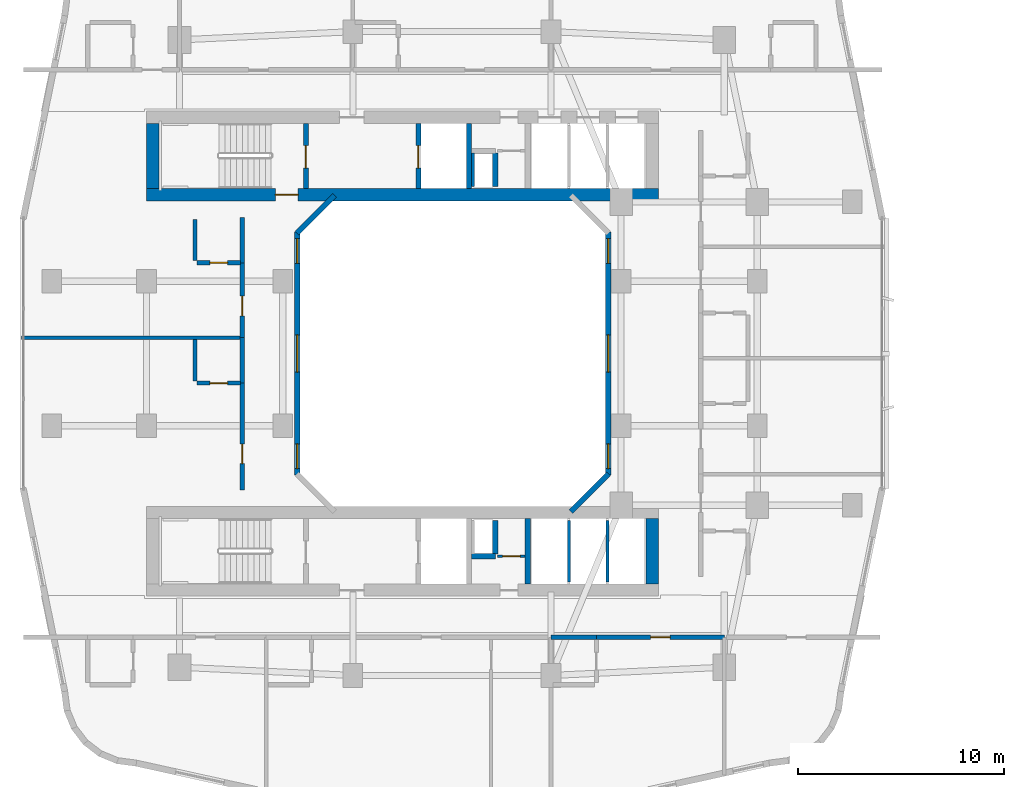
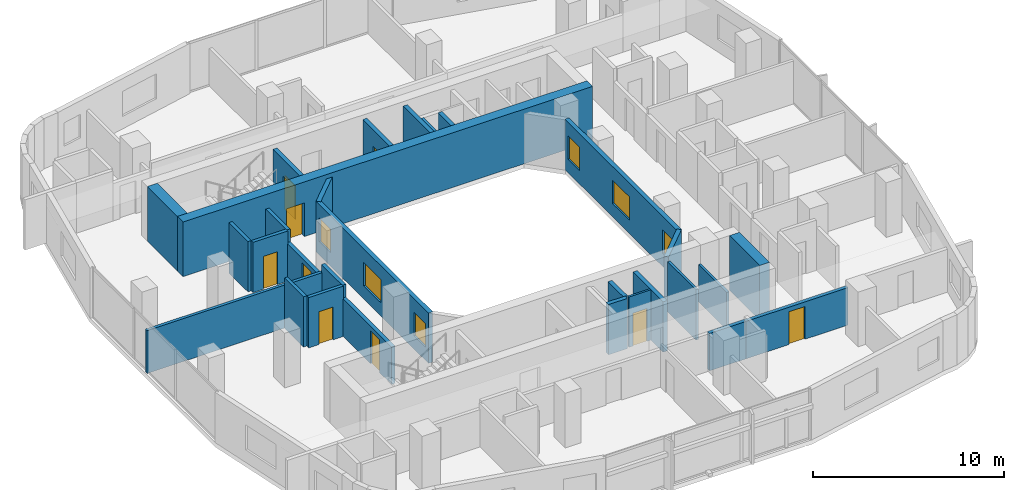
# One storey, part 14 of 27: 29 walls, 9 doors, 6 windows, 15 openings.
"""IFC4 building model written with IfcOpenShell, lengths in metres."""

import ifcopenshell
import ifcopenshell.guid

model = None  # the IFC model being written
_history = None  # IfcOwnerHistory: only IFC2X3 demands one
_inside = {}  # id of a spatial element -> (the spatial element, [elements in it])
_under = {}  # id of a project, library or spatial element -> (it, [spatial elements below it])
_declared = {}  # id of a project -> (the project, [libraries it declares])
_typed = {}  # id of a type object -> (the type object, [elements of that type])
_made_of = {}  # id of a material, layer set ... -> (it, [elements and type objects made of it])


def new_model(schema):
    """Start an empty IFC model of exactly this schema.

    Asked for "IFC4X3", IfcOpenShell would pick the latest addendum, in which some entities
    have other attributes; the version numbers below select the first issue.
    IFC2X3 requires an IfcOwnerHistory on every rooted entity: one is made here for all.
    """
    global model, _history
    if schema == "IFC4X3":
        model = ifcopenshell.file(schema_version=(4, 3, 0, 0))
    else:
        model = ifcopenshell.file(schema=schema)
    _inside.clear()
    _under.clear()
    _declared.clear()
    _typed.clear()
    _made_of.clear()
    _history = None
    if model.schema == "IFC2X3":
        org = make("IfcOrganization", Name="unknown")
        user = make(
            "IfcPersonAndOrganization",
            ThePerson=make("IfcPerson", FamilyName="unknown"),
            TheOrganization=org,
        )
        app = make(
            "IfcApplication",
            ApplicationDeveloper=org,
            Version="unknown",
            ApplicationFullName="unknown",
            ApplicationIdentifier="unknown",
        )
        _history = make(
            "IfcOwnerHistory",
            OwningUser=user,
            OwningApplication=app,
            ChangeAction="ADDED",
            CreationDate=0,
        )
    return model


def make(cls, **values):
    """One entity of the class cls with the attributes given. An attribute that is None is left unset."""
    return model.create_entity(
        cls, **{name: value for name, value in values.items() if value is not None}
    )


def rooted(cls, **values):
    """An entity with a GlobalId (a new one), such as an element, a storey or a relation."""
    return make(cls, GlobalId=ifcopenshell.guid.new(), OwnerHistory=_history, **values)


def si_unit(unit_type, name, prefix=None):
    """IfcSIUnit, for example si_unit("LENGTHUNIT", "METRE", prefix="MILLI")."""
    return make("IfcSIUnit", UnitType=unit_type, Prefix=prefix, Name=name)


def derived_unit(unit_type, elements):
    """IfcDerivedUnit: a product of units, each with its exponent."""
    return make(
        "IfcDerivedUnit",
        Elements=[
            make("IfcDerivedUnitElement", Unit=unit, Exponent=power)
            for unit, power in elements
        ],
        UnitType=unit_type,
    )


def assignment(units):
    """IfcUnitAssignment: the units of a project."""
    return None if units is None else make("IfcUnitAssignment", Units=units)


def point(xyz):
    """IfcCartesianPoint."""
    return None if xyz is None else make("IfcCartesianPoint", Coordinates=xyz)


def direction(xyz):
    """IfcDirection."""
    return None if xyz is None else make("IfcDirection", DirectionRatios=xyz)


def frame(location, z_axis=None, x_axis=None):
    """IfcAxis2Placement3D, a coordinate frame: its origin and axes. An axis left out is left unset."""
    return make(
        "IfcAxis2Placement3D",
        Location=point(location),
        Axis=direction(z_axis),
        RefDirection=direction(x_axis),
    )


def frame_2d(location, x_axis=None):
    """IfcAxis2Placement2D, a coordinate frame in the plane: its origin and x axis."""
    return make(
        "IfcAxis2Placement2D", Location=point(location), RefDirection=direction(x_axis)
    )


def origin():
    """The frame at (0, 0, 0) with its axes left unset."""
    return frame((0.0, 0.0, 0.0))


def place(relative_to, where):
    """IfcLocalPlacement: puts the frame where relative to a parent placement (None: the world)."""
    return make(
        "IfcLocalPlacement", PlacementRelTo=relative_to, RelativePlacement=where
    )


def context(
    kind, dimensions, precision=None, world=None, true_north=None, identifier=None
):
    """IfcGeometricRepresentationContext, for example the 3D "Model" context."""
    return make(
        "IfcGeometricRepresentationContext",
        ContextIdentifier=identifier,
        ContextType=kind,
        CoordinateSpaceDimension=dimensions,
        Precision=precision,
        WorldCoordinateSystem=world,
        TrueNorth=true_north,
    )


def subcontext(parent, identifier, kind, view, scale=None):
    """IfcGeometricRepresentationSubContext, for example "Body" below "Model"."""
    return make(
        "IfcGeometricRepresentationSubContext",
        ContextIdentifier=identifier,
        ContextType=kind,
        ParentContext=parent,
        TargetScale=scale,
        TargetView=view,
    )


def project(units=None, contexts=None):
    """IfcProject with its units and contexts."""
    return rooted(
        "IfcProject",
        Name="project",
        RepresentationContexts=contexts,
        UnitsInContext=assignment(units),
    )


def spatial(cls, under=None, at=None, **own):
    """A site, building, storey or space (cls), placed at a placement, below another one or the project."""
    s = rooted(cls, ObjectPlacement=at, **own)
    if under is not None:
        _under.setdefault(under.id(), (under, []))[1].append(s)
    return s


def profile(cls, at=None, kind="AREA", **sizes):
    """A parametric profile (cls). Its sizes go by their IFC names, for example OverallWidth=200.0."""
    return make(cls, ProfileType=kind, Position=at, **sizes)


def rectangle(**sizes):
    """IfcRectangleProfileDef."""
    return profile("IfcRectangleProfileDef", **sizes)


def extrude(swept, where, along, depth):
    """IfcExtrudedAreaSolid: the profile swept, set in the frame where, extruded along a direction by depth."""
    return make(
        "IfcExtrudedAreaSolid",
        SweptArea=swept,
        Position=where,
        ExtrudedDirection=direction(along),
        Depth=depth,
    )


def shape(context_of_items, identifier, shape_type, items):
    """IfcShapeRepresentation: the items that make up one representation, for example the "Body"."""
    return make(
        "IfcShapeRepresentation",
        ContextOfItems=context_of_items,
        RepresentationIdentifier=identifier,
        RepresentationType=shape_type,
        Items=items,
    )


def material(Name=None, Category=None):
    """IfcMaterial."""
    return make("IfcMaterial", Name=Name, Category=Category)


def layer(
    of_material, thickness, ventilated=None, Name=None, Category=None, Priority=None
):
    """IfcMaterialLayer: one layer of a wall or slab, of a material (None: an air gap)."""
    return make(
        "IfcMaterialLayer",
        Material=of_material,
        LayerThickness=thickness,
        IsVentilated=ventilated,
        Name=Name,
        Category=Category,
        Priority=Priority,
    )


def layer_set(layers, Name=None):
    """IfcMaterialLayerSet."""
    return make("IfcMaterialLayerSet", MaterialLayers=layers, LayerSetName=Name)


def made_of(thing, what):
    """Note that an element or type object is made of a material, layer set ...; save() writes the relation."""
    if what is not None:
        _made_of.setdefault(what.id(), (what, []))[1].append(thing)
    return thing


def type_object(cls, material=None, **own):
    """A type object (cls), such as IfcWallType, which elements share."""
    return made_of(rooted(cls, **own), material)


def element(
    cls,
    number,
    at=None,
    inside=None,
    cuts=None,
    type_object=None,
    material=None,
    context=None,
    identifier="Body",
    shape_type=None,
    held_by="IfcProductDefinitionShape",
    body=None,
    shapes=None,
    **own,
):
    """One element of the class cls, such as IfcWall. Its Tag is "e" and its number.

    at: its placement. inside: the storey or other place that contains it. cuts: it is an
    opening in that element (IfcRelVoidsElement). A single representation is given by context,
    identifier, shape_type and body (its items); several are given by shapes. held_by: the class
    of the entity that holds the representations. save() writes the other relations.
    """
    e = rooted(cls, Tag="e%d" % number, ObjectPlacement=at, **own)
    if body is not None:
        shapes = [shape(context, identifier, shape_type, body)]
    if shapes is not None:
        e.Representation = make(held_by, Representations=shapes)
    if inside is not None:
        _inside.setdefault(inside.id(), (inside, []))[1].append(e)
    if cuts is not None:
        rooted(
            "IfcRelVoidsElement", RelatingBuildingElement=cuts, RelatedOpeningElement=e
        )
    if type_object is not None:
        _typed.setdefault(type_object.id(), (type_object, []))[1].append(e)
    return made_of(e, material)


def fill(opening, filler):
    """IfcRelFillsElement: the door or window that sits in an opening."""
    return rooted(
        "IfcRelFillsElement",
        RelatingOpeningElement=opening,
        RelatedBuildingElement=filler,
    )


def aggregate(whole, parts):
    """IfcRelAggregates: a whole, such as a stair, and the parts it consists of."""
    return rooted("IfcRelAggregates", RelatingObject=whole, RelatedObjects=parts)


def save(model, path):
    """Write the relations noted so far, then the file.

    IfcRelAggregates (storeys below a building ...), IfcRelContainedInSpatialStructure (elements
    in a storey), IfcRelDefinesByType, IfcRelAssociatesMaterial and IfcRelDeclares: one each for
    every whole, place, type object, material and project.
    """
    for whole, parts in _under.values():
        aggregate(whole, parts)
    for where, things in _inside.values():
        rooted(
            "IfcRelContainedInSpatialStructure",
            RelatedElements=things,
            RelatingStructure=where,
        )
    for kind, things in _typed.values():
        rooted("IfcRelDefinesByType", RelatedObjects=things, RelatingType=kind)
    for what, things in _made_of.values():
        rooted("IfcRelAssociatesMaterial", RelatedObjects=things, RelatingMaterial=what)
    for by, libraries in _declared.values():
        rooted("IfcRelDeclares", RelatingContext=by, RelatedDefinitions=libraries)
    model.write(path)


model = new_model("IFC4")

# Units and contexts
model_context = context("Model", 3, precision=1e-05, world=origin(), true_north=direction((0.0, 1.0)))
body_context = subcontext(model_context, "Body", "Model", "MODEL_VIEW")
ifc_project = project(units=[si_unit("LENGTHUNIT", "METRE"), si_unit("AREAUNIT", "SQUARE_METRE"), si_unit("VOLUMEUNIT", "CUBIC_METRE"), si_unit("PLANEANGLEUNIT", "RADIAN"), si_unit("MASSUNIT", "GRAM", prefix="KILO"), derived_unit("THERMALTRANSMITTANCEUNIT", [(si_unit("POWERUNIT", "WATT"), 1), (si_unit("LENGTHUNIT", "METRE"), -2), (si_unit("THERMODYNAMICTEMPERATUREUNIT", "KELVIN"), -1)])], contexts=[model_context])

# Site, building, storey
site_placement = place(None, origin())
site = spatial("IfcSite", under=ifc_project, at=site_placement, CompositionType="ELEMENT")
building_placement = place(site_placement, origin())
building = spatial("IfcBuilding", under=site, at=building_placement, Name="Kivonza Crest Hotel", CompositionType="ELEMENT")
storey_placement = place(building_placement, frame((0.0, 0.0, 41.5)))
storey = spatial("IfcBuildingStorey", under=building, at=storey_placement, Name="L10", CompositionType="ELEMENT", Elevation=41.5)

# Walls
ifc_material_1 = material(Name="High-density acoustic masonry inter-tenancy wall", Category="masonry")
ifc_layer_1 = layer(ifc_material_1, 0.179931640625)
ifc_layer_set_1 = layer_set([ifc_layer_1], Name="High-density acoustic masonry inter-tenancy wall")
wall_type_1 = type_object("IfcWallType", Name="WL-ACOU-180", PredefinedType="SOLIDWALL", material=ifc_layer_set_1)
wall_1_placement = place(storey_placement, frame((0.139892578125, 25.77001953125, 0.0), z_axis=(0.0, 0.0, 1.0), x_axis=(1.0, 0.0, 0.0)))
element("IfcWall", 1, at=wall_1_placement, inside=storey, type_object=wall_type_1, Name="L10 interior partition WA-L10-T1W-DIV1", PredefinedType="SOLIDWALL", context=body_context, shape_type="SweptSolid", body=[
    extrude(rectangle(XDim=10.710205078125, YDim=0.179931640625, at=frame_2d((5.35498046875, 0.0))), origin(), (0.0, 0.0, 1.0), 2.7451171875),
])
ifc_material_2 = material(Name="Autoclaved aerated concrete blockwork", Category="masonry")
ifc_layer_2 = layer(ifc_material_2, 0.219970703125)
ifc_layer_set_2 = layer_set([ifc_layer_2], Name="Autoclaved aerated concrete blockwork")
wall_type_2 = type_object("IfcWallType", Name="WL-ACOU-220", PredefinedType="SOLIDWALL", material=ifc_layer_set_2)
wall_2_placement = place(storey_placement, frame((25.800048828125, 11.25, 0.0), z_axis=(0.0, 0.0, 1.0), x_axis=(1.0, 0.0, 0.0)))
element("IfcWall", 2, at=wall_2_placement, inside=storey, type_object=wall_type_2, Name="L10 interior partition WA-L10-S06-BCORR", PredefinedType="SOLIDWALL", context=body_context, shape_type="SweptSolid", body=[
    extrude(rectangle(XDim=2.199951171875, YDim=0.219970703125, at=frame_2d((1.10009765625, 0.0))), origin(), (0.0, 0.0, 1.0), 2.39501953125),
])

# Wall, opening, door
wall_3_placement = place(storey_placement, frame((28.0, 11.25, 0.0), z_axis=(0.0, 0.0, 1.0), x_axis=(1.0, 0.0, 0.0)))
wall_3 = element("IfcWall", 3, at=wall_3_placement, inside=storey, type_object=wall_type_2, Name="L10 interior partition WA-L10-S06-MCORR", PredefinedType="SOLIDWALL", context=body_context, shape_type="SweptSolid", body=[
    extrude(rectangle(XDim=6.199951171875, YDim=0.219970703125, at=frame_2d((3.10009765625, 0.0))), origin(), (0.0, 0.0, 1.0), 2.39501953125),
])
opening_1_placement = place(wall_3_placement, frame((2.625, 0.0, 0.0)))
opening_1 = element("IfcOpeningElement", 4, at=opening_1_placement, cuts=wall_3, Name="Opening DU-60", PredefinedType="OPENING", context=body_context, shape_type="SweptSolid", body=[
    extrude(rectangle(XDim=0.949951171875, YDim=2.10009765625, at=frame_2d((0.47509765625, 1.050048828125))), frame((0.0, 0.1201171875, 0.0), z_axis=(0.0, -1.0, 0.0), x_axis=(1.0, 0.0, 0.0)), (0.0, 0.0, 1.0), 0.239990234375),
])
ifc_material_3 = material(Name="Hardwood timber oak", Category="wood")
door_type_1 = type_object("IfcDoorType", Name="DR-UNIT-950", OperationType="NOTDEFINED", PredefinedType="DOOR", material=ifc_material_3)
door_1_placement = place(opening_1_placement, frame((0.949951171875, 0.0, 0.0), z_axis=(0.0, 0.0, 1.0), x_axis=(-1.0, 0.0, 0.0)))
door_1 = element("IfcDoor", 5, at=door_1_placement, inside=storey, type_object=door_type_1, Name="L10 S06 guest unit entrance fire door", OperationType="SINGLE_SWING_RIGHT", OverallHeight=2.10009765625, OverallWidth=0.949951171875, PredefinedType="DOOR", context=body_context, shape_type="SweptSolid", body=[
    extrude(rectangle(XDim=0.949951171875, YDim=2.10009765625, at=frame_2d((0.47509765625, 1.050048828125))), frame((0.0, 0.02490234375, 0.0), z_axis=(0.0, -1.0, 0.0), x_axis=(1.0, 0.0, 0.0)), (0.0, 0.0, 1.0), 0.050048828125),
])
fill(opening_1, door_1)

# Wall
wall_4_placement = place(storey_placement, frame((10.85009765625, 23.570068359375, 0.0), z_axis=(0.0, 0.0, 1.0), x_axis=(0.0, 1.0, 0.0)))
element("IfcWall", 6, at=wall_4_placement, inside=storey, type_object=wall_type_2, Name="L10 interior partition WA-L10-W07-BCORR", PredefinedType="SOLIDWALL", context=body_context, shape_type="SweptSolid", body=[
    extrude(rectangle(XDim=2.199951171875, YDim=0.219970703125, at=frame_2d((1.10009765625, 0.0))), origin(), (0.0, 0.0, 1.0), 3.219970703125),
])

# Wall, opening, door
wall_5_placement = place(storey_placement, frame((10.85009765625, 18.39990234375, 0.0), z_axis=(0.0, 0.0, 1.0), x_axis=(0.0, 1.0, 0.0)))
wall_5 = element("IfcWall", 7, at=wall_5_placement, inside=storey, type_object=wall_type_2, Name="L10 interior partition WA-L10-W07-MCORR", PredefinedType="SOLIDWALL", context=body_context, shape_type="SweptSolid", body=[
    extrude(rectangle(XDim=5.170166015625, YDim=0.219970703125, at=frame_2d((2.5849609375, 0.0))), origin(), (0.0, 0.0, 1.0), 2.39501953125),
])
opening_2_placement = place(wall_5_placement, frame((1.260009765625, 0.0, 0.0)))
opening_2 = element("IfcOpeningElement", 8, at=opening_2_placement, cuts=wall_5, Name="Opening DU-60", PredefinedType="OPENING", context=body_context, shape_type="SweptSolid", body=[
    extrude(rectangle(XDim=0.949951171875, YDim=2.10009765625, at=frame_2d((0.47509765625, 1.050048828125))), frame((0.0, 0.1201171875, 0.0), z_axis=(0.0, -1.0, 0.0), x_axis=(1.0, 0.0, 0.0)), (0.0, 0.0, 1.0), 0.239990234375),
])
door_2_placement = place(opening_2_placement, origin())
door_2 = element("IfcDoor", 9, at=door_2_placement, inside=storey, type_object=door_type_1, Name="L10 W07 guest unit entrance fire door", OperationType="SINGLE_SWING_LEFT", OverallHeight=2.10009765625, OverallWidth=0.949951171875, PredefinedType="DOOR", context=body_context, shape_type="SweptSolid", body=[
    extrude(rectangle(XDim=0.949951171875, YDim=2.10009765625, at=frame_2d((0.47509765625, 1.050048828125))), frame((0.0, 0.02490234375, 0.0), z_axis=(0.0, -1.0, 0.0), x_axis=(1.0, 0.0, 0.0)), (0.0, 0.0, 1.0), 0.050048828125),
])
fill(opening_2, door_2)

# Wall
wall_6_placement = place(storey_placement, frame((10.85009765625, 29.39990234375, 0.0), z_axis=(0.0, 0.0, 1.0), x_axis=(0.0, 1.0, 0.0)))
element("IfcWall", 10, at=wall_6_placement, inside=storey, type_object=wall_type_2, Name="L10 interior partition WA-L10-W08-BCORR", PredefinedType="SOLIDWALL", context=body_context, shape_type="SweptSolid", body=[
    extrude(rectangle(XDim=2.2001953125, YDim=0.219970703125, at=frame_2d((1.10009765625, 0.0))), origin(), (0.0, 0.0, 1.0), 3.219970703125),
])

# Wall, opening, door
wall_7_placement = place(storey_placement, frame((10.85009765625, 25.77001953125, 0.0), z_axis=(0.0, 0.0, 1.0), x_axis=(0.0, 1.0, 0.0)))
wall_7 = element("IfcWall", 11, at=wall_7_placement, inside=storey, type_object=wall_type_2, Name="L10 interior partition WA-L10-W08-MCORR", PredefinedType="SOLIDWALL", context=body_context, shape_type="SweptSolid", body=[
    extrude(rectangle(XDim=3.6298828125, YDim=0.219970703125, at=frame_2d((1.81494140625, 0.0))), origin(), (0.0, 0.0, 1.0), 2.39501953125),
])
opening_3_placement = place(wall_7_placement, frame((1.06005859375, 0.0, 0.0)))
opening_3 = element("IfcOpeningElement", 12, at=opening_3_placement, cuts=wall_7, Name="Opening DU-60", PredefinedType="OPENING", context=body_context, shape_type="SweptSolid", body=[
    extrude(rectangle(XDim=0.949951171875, YDim=2.10009765625, at=frame_2d((0.47509765625, 1.050048828125))), frame((0.0, 0.1201171875, 0.0), z_axis=(0.0, -1.0, 0.0), x_axis=(1.0, 0.0, 0.0)), (0.0, 0.0, 1.0), 0.239990234375),
])
door_3_placement = place(opening_3_placement, origin())
door_3 = element("IfcDoor", 13, at=door_3_placement, inside=storey, type_object=door_type_1, Name="L10 W08 guest unit entrance fire door", OperationType="SINGLE_SWING_RIGHT", OverallHeight=2.10009765625, OverallWidth=0.949951171875, PredefinedType="DOOR", context=body_context, shape_type="SweptSolid", body=[
    extrude(rectangle(XDim=0.949951171875, YDim=2.10009765625, at=frame_2d((0.47509765625, 1.050048828125))), frame((0.0, 0.02490234375, 0.0), z_axis=(0.0, -1.0, 0.0), x_axis=(1.0, 0.0, 0.0)), (0.0, 0.0, 1.0), 0.050048828125),
])
fill(opening_3, door_3)

ifc_material_4 = material(Name="Concrete C60/75", Category="concrete")
ifc_layer_3 = layer(ifc_material_4, 0.60009765625)
ifc_layer_set_3 = layer_set([ifc_layer_3], Name="Concrete C60/75")
wall_type_3 = type_object("IfcWallType", Name="WL-CORE-600", PredefinedType="SHEAR", material=ifc_layer_set_3)
wall_8_placement = place(storey_placement, frame((6.199951171875, 32.699951171875, 0.0), z_axis=(0.0, 0.0, 1.0), x_axis=(1.0, 0.0, 0.0)))
wall_8 = element("IfcWall", 14, at=wall_8_placement, inside=storey, type_object=wall_type_3, Name="Core wall T1-N South L10", PredefinedType="SHEAR", context=body_context, shape_type="SweptSolid", body=[
    extrude(rectangle(XDim=24.800048828125, YDim=0.60009765625, at=frame_2d((12.39990234375, 0.0))), origin(), (0.0, 0.0, 1.0), 3.5),
])
opening_4_placement = place(wall_8_placement, frame((6.25, 0.0, 0.0)))
opening_4 = element("IfcOpeningElement", 15, at=opening_4_placement, cuts=wall_8, Name="Opening DF-120", PredefinedType="OPENING", context=body_context, shape_type="SweptSolid", body=[
    extrude(rectangle(XDim=1.10009765625, YDim=2.14990234375, at=frame_2d((0.550048828125, 1.074951171875))), frame((0.0, 0.31005859375, 0.0), z_axis=(0.0, -1.0, 0.0), x_axis=(1.0, 0.0, 0.0)), (0.0, 0.0, 1.0), 0.6201171875),
])
ifc_material_5 = material(Name="Galvanised steel", Category="steel")
door_type_2 = type_object("IfcDoorType", Name="DR-FD120-1100", OperationType="NOTDEFINED", PredefinedType="DOOR", material=ifc_material_5)
door_4_placement = place(opening_4_placement, origin())
door_4 = element("IfcDoor", 16, at=door_4_placement, inside=storey, type_object=door_type_2, Name="L10 West corridor stair access fire door", OperationType="SINGLE_SWING_LEFT", OverallHeight=2.14990234375, OverallWidth=1.10009765625, PredefinedType="DOOR", context=body_context, shape_type="SweptSolid", body=[
    extrude(rectangle(XDim=1.10009765625, YDim=2.14990234375, at=frame_2d((0.550048828125, 1.074951171875))), frame((0.0, 0.02490234375, 0.0), z_axis=(0.0, -1.0, 0.0), x_axis=(1.0, 0.0, 0.0)), (0.0, 0.0, 1.0), 0.050048828125),
])
fill(opening_4, door_4)

# Walls
for number, where, z_axis, x_axis, name in (
    (17, (6.5, 33.0, 0.0), (0.0, 0.0, 1.0), (0.0, 1.0, 0.0), "Core wall T1-N West L10"),
    (18, (30.699951171875, 13.840087890625, 0.0), (0.0, 0.0, 1.0), (0.0, 1.0, 0.0), "Core wall T1-S East L10"),
):
    element("IfcWall", number, at=place(storey_placement, frame(where, z_axis=z_axis, x_axis=x_axis)), inside=storey, type_object=wall_type_3, Name=name, PredefinedType="SHEAR", context=body_context, shape_type="SweptSolid", body=[
        extrude(rectangle(XDim=3.159912109375, YDim=0.60009765625, at=frame_2d((1.580078125, 0.0))), origin(), (0.0, 0.0, 1.0), 3.5),
    ])
ifc_material_6 = material(Name="Precast concrete C40/50", Category="concrete")
ifc_layer_4 = layer(ifc_material_6, 0.260009765625)
ifc_layer_set_4 = layer_set([ifc_layer_4], Name="Precast concrete C40/50")
wall_type_4 = type_object("IfcWallType", Name="WL-EXT-260", PredefinedType="STANDARD", material=ifc_layer_set_4)
wall_9_placement = place(storey_placement, frame((26.761962890625, 17.337890625, 0.0), z_axis=(0.0, 0.0, 1.0), x_axis=(0.707059717605, 0.707153841636, 0.0)))
element("IfcWall", 19, at=wall_9_placement, inside=storey, type_object=wall_type_4, Name="L10 T1 light-well exterior wall 2", PredefinedType="STANDARD", context=body_context, shape_type="SweptSolid", body=[
    extrude(rectangle(XDim=2.59375, YDim=0.260009765625, at=frame_2d((1.296875, 0.0))), origin(), (0.0, 0.0, 1.0), 3.219970703125),
])

# Wall, openings, windows
wall_10_placement = place(storey_placement, frame((28.570068359375, 19.110107421875, 0.0), z_axis=(0.0, 0.0, 1.0), x_axis=(0.0, 1.0, 0.0)))
wall_10 = element("IfcWall", 20, at=wall_10_placement, inside=storey, type_object=wall_type_4, Name="L10 T1 light-well exterior wall 3", PredefinedType="STANDARD", context=body_context, shape_type="SweptSolid", body=[
    extrude(rectangle(XDim=11.77978515625, YDim=0.260009765625, at=frame_2d((5.889892578125, 0.0))), origin(), (0.0, 0.0, 1.0), 3.219970703125),
])
opening_5_placement = place(wall_10_placement, frame((0.318115234375, 0.0, 0.85009765625)))
opening_5 = element("IfcOpeningElement", 21, at=opening_5_placement, cuts=wall_10, Name="Opening WN-01", PredefinedType="OPENING", context=body_context, shape_type="SweptSolid", body=[
    extrude(rectangle(XDim=1.199951171875, YDim=1.5, at=frame_2d((0.60009765625, 0.75))), frame((0.0, 0.14013671875, 0.0), z_axis=(0.0, -1.0, 0.0), x_axis=(1.0, 0.0, 0.0)), (0.0, 0.0, 1.0), 0.280029296875),
])
opening_6_placement = place(wall_10_placement, frame((4.989990234375, 0.0, 0.85009765625)))
opening_6 = element("IfcOpeningElement", 22, at=opening_6_placement, cuts=wall_10, Name="Opening WN-03", PredefinedType="OPENING", context=body_context, shape_type="SweptSolid", body=[
    extrude(rectangle(XDim=1.800048828125, YDim=1.5, at=frame_2d((0.89990234375, 0.75))), frame((0.0, 0.14013671875, 0.0), z_axis=(0.0, -1.0, 0.0), x_axis=(1.0, 0.0, 0.0)), (0.0, 0.0, 1.0), 0.280029296875),
])
opening_7_placement = place(wall_10_placement, frame((10.262939453125, 0.0, 0.85009765625)))
opening_7 = element("IfcOpeningElement", 23, at=opening_7_placement, cuts=wall_10, Name="Opening WN-01", PredefinedType="OPENING", context=body_context, shape_type="SweptSolid", body=[
    extrude(rectangle(XDim=1.199951171875, YDim=1.5, at=frame_2d((0.60009765625, 0.75))), frame((0.0, 0.14013671875, 0.0), z_axis=(0.0, -1.0, 0.0), x_axis=(1.0, 0.0, 0.0)), (0.0, 0.0, 1.0), 0.280029296875),
])
ifc_material_7 = material(Name="Thermally broken bronze aluminium and low-E double glazing", Category="aluminium")
window_type_1 = type_object("IfcWindowType", Name="WN-120x150", PartitioningType="SINGLE_PANEL", PredefinedType="WINDOW", material=ifc_material_7)
window_1_placement = place(opening_5_placement, origin())
window_1 = element("IfcWindow", 24, at=window_1_placement, inside=storey, type_object=window_type_1, Name="L10 T1 light-well window 3 bay 1", OverallHeight=1.5, OverallWidth=1.199951171875, PartitioningType="SINGLE_PANEL", PredefinedType="WINDOW", context=body_context, shape_type="SweptSolid", body=[
    extrude(rectangle(XDim=1.199951171875, YDim=1.5, at=frame_2d((0.60009765625, 0.75))), frame((0.0, 0.030029296875, 0.0), z_axis=(0.0, -1.0, 0.0), x_axis=(1.0, 0.0, 0.0)), (0.0, 0.0, 1.0), 0.06005859375),
])
fill(opening_5, window_1)
window_2_placement = place(opening_7_placement, origin())
window_2 = element("IfcWindow", 25, at=window_2_placement, inside=storey, type_object=window_type_1, Name="L10 T1 light-well window 3 bay 3", OverallHeight=1.5, OverallWidth=1.199951171875, PartitioningType="SINGLE_PANEL", PredefinedType="WINDOW", context=body_context, shape_type="SweptSolid", body=[
    extrude(rectangle(XDim=1.199951171875, YDim=1.5, at=frame_2d((0.60009765625, 0.75))), frame((0.0, 0.030029296875, 0.0), z_axis=(0.0, -1.0, 0.0), x_axis=(1.0, 0.0, 0.0)), (0.0, 0.0, 1.0), 0.06005859375),
])
fill(opening_7, window_2)
window_type_2 = type_object("IfcWindowType", Name="WN-180x150", PartitioningType="DOUBLE_PANEL_VERTICAL", PredefinedType="WINDOW", material=ifc_material_7)
window_3_placement = place(opening_6_placement, origin())
window_3 = element("IfcWindow", 26, at=window_3_placement, inside=storey, type_object=window_type_2, Name="L10 T1 light-well window 3 bay 2", OverallHeight=1.5, OverallWidth=1.800048828125, PartitioningType="SINGLE_PANEL", PredefinedType="WINDOW", context=body_context, shape_type="SweptSolid", body=[
    extrude(rectangle(XDim=1.800048828125, YDim=1.5, at=frame_2d((0.89990234375, 0.75))), frame((0.0, 0.030029296875, 0.0), z_axis=(0.0, -1.0, 0.0), x_axis=(1.0, 0.0, 0.0)), (0.0, 0.0, 1.0), 0.06005859375),
])
fill(opening_6, window_3)

# Wall
wall_11_placement = place(storey_placement, frame((15.318115234375, 32.662109375, 0.0), z_axis=(0.0, 0.0, 1.0), x_axis=(-0.707106781187, -0.707106781187, 0.0)))
element("IfcWall", 27, at=wall_11_placement, inside=storey, type_object=wall_type_4, Name="L10 T1 light-well exterior wall 6", PredefinedType="STANDARD", context=body_context, shape_type="SweptSolid", body=[
    extrude(rectangle(XDim=2.593994140625, YDim=0.260009765625, at=frame_2d((1.296875, 0.0))), origin(), (0.0, 0.0, 1.0), 3.219970703125),
])

# Wall, openings, windows
wall_12_placement = place(storey_placement, frame((13.510009765625, 30.889892578125, 0.0), z_axis=(0.0, 0.0, 1.0), x_axis=(0.0, -1.0, 0.0)))
wall_12 = element("IfcWall", 28, at=wall_12_placement, inside=storey, type_object=wall_type_4, Name="L10 T1 light-well exterior wall 7", PredefinedType="STANDARD", context=body_context, shape_type="SweptSolid", body=[
    extrude(rectangle(XDim=11.77978515625, YDim=0.260009765625, at=frame_2d((5.889892578125, 0.0))), origin(), (0.0, 0.0, 1.0), 3.219970703125),
])
opening_8_placement = place(wall_12_placement, frame((0.318115234375, 0.0, 0.85009765625)))
opening_8 = element("IfcOpeningElement", 29, at=opening_8_placement, cuts=wall_12, Name="Opening WN-01", PredefinedType="OPENING", context=body_context, shape_type="SweptSolid", body=[
    extrude(rectangle(XDim=1.199951171875, YDim=1.5, at=frame_2d((0.60009765625, 0.75))), frame((0.0, 0.14013671875, 0.0), z_axis=(0.0, -1.0, 0.0), x_axis=(1.0, 0.0, 0.0)), (0.0, 0.0, 1.0), 0.280029296875),
])
opening_9_placement = place(wall_12_placement, frame((4.989990234375, 0.0, 0.85009765625)))
opening_9 = element("IfcOpeningElement", 30, at=opening_9_placement, cuts=wall_12, Name="Opening WN-03", PredefinedType="OPENING", context=body_context, shape_type="SweptSolid", body=[
    extrude(rectangle(XDim=1.800048828125, YDim=1.5, at=frame_2d((0.89990234375, 0.75))), frame((0.0, 0.14013671875, 0.0), z_axis=(0.0, -1.0, 0.0), x_axis=(1.0, 0.0, 0.0)), (0.0, 0.0, 1.0), 0.280029296875),
])
opening_10_placement = place(wall_12_placement, frame((10.262939453125, 0.0, 0.85009765625)))
opening_10 = element("IfcOpeningElement", 31, at=opening_10_placement, cuts=wall_12, Name="Opening WN-01", PredefinedType="OPENING", context=body_context, shape_type="SweptSolid", body=[
    extrude(rectangle(XDim=1.199951171875, YDim=1.5, at=frame_2d((0.60009765625, 0.75))), frame((0.0, 0.14013671875, 0.0), z_axis=(0.0, -1.0, 0.0), x_axis=(1.0, 0.0, 0.0)), (0.0, 0.0, 1.0), 0.280029296875),
])
window_4_placement = place(opening_8_placement, origin())
window_4 = element("IfcWindow", 32, at=window_4_placement, inside=storey, type_object=window_type_1, Name="L10 T1 light-well window 7 bay 1", OverallHeight=1.5, OverallWidth=1.199951171875, PartitioningType="SINGLE_PANEL", PredefinedType="WINDOW", context=body_context, shape_type="SweptSolid", body=[
    extrude(rectangle(XDim=1.199951171875, YDim=1.5, at=frame_2d((0.60009765625, 0.75))), frame((0.0, 0.030029296875, 0.0), z_axis=(0.0, -1.0, 0.0), x_axis=(1.0, 0.0, 0.0)), (0.0, 0.0, 1.0), 0.06005859375),
])
fill(opening_8, window_4)
window_5_placement = place(opening_10_placement, origin())
window_5 = element("IfcWindow", 33, at=window_5_placement, inside=storey, type_object=window_type_1, Name="L10 T1 light-well window 7 bay 3", OverallHeight=1.5, OverallWidth=1.199951171875, PartitioningType="SINGLE_PANEL", PredefinedType="WINDOW", context=body_context, shape_type="SweptSolid", body=[
    extrude(rectangle(XDim=1.199951171875, YDim=1.5, at=frame_2d((0.60009765625, 0.75))), frame((0.0, 0.030029296875, 0.0), z_axis=(0.0, -1.0, 0.0), x_axis=(1.0, 0.0, 0.0)), (0.0, 0.0, 1.0), 0.06005859375),
])
fill(opening_10, window_5)
window_6_placement = place(opening_9_placement, origin())
window_6 = element("IfcWindow", 34, at=window_6_placement, inside=storey, type_object=window_type_2, Name="L10 T1 light-well window 7 bay 2", OverallHeight=1.5, OverallWidth=1.800048828125, PartitioningType="SINGLE_PANEL", PredefinedType="WINDOW", context=body_context, shape_type="SweptSolid", body=[
    extrude(rectangle(XDim=1.800048828125, YDim=1.5, at=frame_2d((0.89990234375, 0.75))), frame((0.0, 0.030029296875, 0.0), z_axis=(0.0, -1.0, 0.0), x_axis=(1.0, 0.0, 0.0)), (0.0, 0.0, 1.0), 0.06005859375),
])
fill(opening_9, window_6)

# Walls
ifc_material_8 = material(Name="Concrete blockwork fire-compartment wall", Category="masonry")
ifc_layer_5 = layer(ifc_material_8, 0.25)
ifc_layer_set_5 = layer_set([ifc_layer_5], Name="Concrete blockwork fire-compartment wall")
wall_type_5 = type_object("IfcWallType", Name="WL-FIRE-250", PredefinedType="SOLIDWALL", material=ifc_layer_set_5)
for number, where, z_axis, x_axis, name in (
    (35, (23.10009765625, 33.10009765625, 0.0), (0.0, 0.0, 1.0), (0.0, 1.0, 0.0), "L10 interior partition WA-L10-T1-N-MEPR-E"),
    (36, (23.10009765625, 15.280029296875, 0.0), (0.0, 0.0, 1.0), (0.0, 1.0, 0.0), "L10 interior partition WA-L10-T1-S-MEPR-E"),
):
    element("IfcWall", number, at=place(storey_placement, frame(where, z_axis=z_axis, x_axis=x_axis)), inside=storey, type_object=wall_type_5, Name=name, PredefinedType="SOLIDWALL", context=body_context, shape_type="SweptSolid", body=[
        extrude(rectangle(XDim=1.619873046875, YDim=0.25, at=frame_2d((0.81005859375, 0.0))), origin(), (0.0, 0.0, 1.0), 3.219970703125),
    ])
wall_13_placement = place(storey_placement, frame((21.949951171875, 15.179931640625, 0.0), z_axis=(0.0, 0.0, 1.0), x_axis=(1.0, 0.0, 0.0)))
element("IfcWall", 37, at=wall_13_placement, inside=storey, type_object=wall_type_5, Name="L10 interior partition WA-L10-T1-S-MEPR-H", PredefinedType="SOLIDWALL", context=body_context, shape_type="SweptSolid", body=[
    extrude(rectangle(XDim=1.150146484375, YDim=0.25, at=frame_2d((0.5751953125, 0.0))), origin(), (0.0, 0.0, 1.0), 3.219970703125),
])

# Wall, opening, door
ifc_material_9 = material(Name="Metal-stud gypsum board partition", Category="gypsum")
ifc_layer_6 = layer(ifc_material_9, 0.125)
ifc_layer_set_6 = layer_set([ifc_layer_6], Name="Metal-stud gypsum board partition")
wall_type_6 = type_object("IfcWallType", Name="WL-PART-125", PredefinedType="PARTITIONING", material=ifc_layer_set_6)
wall_14_placement = place(storey_placement, frame((23.219970703125, 15.179931640625, 0.0), z_axis=(0.0, 0.0, 1.0), x_axis=(1.0, 0.0, 0.0)))
wall_14 = element("IfcWall", 38, at=wall_14_placement, inside=storey, type_object=wall_type_6, Name="L10 interior partition WP-L10-T1-S-SV3H", PredefinedType="PARTITIONING", context=body_context, shape_type="SweptSolid", body=[
    extrude(rectangle(XDim=1.330078125, YDim=0.125, at=frame_2d((0.6650390625, 0.0))), origin(), (0.0, 0.0, 1.0), 3.219970703125),
])
opening_11_placement = place(wall_14_placement, frame((0.239990234375, 0.0, 0.0)))
opening_11 = element("IfcOpeningElement", 39, at=opening_11_placement, cuts=wall_14, Name="Opening DI-85", PredefinedType="OPENING", context=body_context, shape_type="SweptSolid", body=[
    extrude(rectangle(XDim=0.85009765625, YDim=2.10009765625, at=frame_2d((0.425048828125, 1.050048828125))), frame((0.0, 0.072509765625, 0.0), z_axis=(0.0, -1.0, 0.0), x_axis=(1.0, 0.0, 0.0)), (0.0, 0.0, 1.0), 0.14501953125),
])
door_type_3 = type_object("IfcDoorType", Name="DR-INT-850", OperationType="NOTDEFINED", PredefinedType="DOOR", material=ifc_material_3)
door_5_placement = place(opening_11_placement, origin())
door_5 = element("IfcDoor", 40, at=door_5_placement, inside=storey, type_object=door_type_3, Name="L10 T1-S inner manifold door", OperationType="SINGLE_SWING_LEFT", OverallHeight=2.10009765625, OverallWidth=0.85009765625, PredefinedType="DOOR", context=body_context, shape_type="SweptSolid", body=[
    extrude(rectangle(XDim=0.85009765625, YDim=2.10009765625, at=frame_2d((0.425048828125, 1.050048828125))), frame((0.0, 0.02490234375, 0.0), z_axis=(0.0, -1.0, 0.0), x_axis=(1.0, 0.0, 0.0)), (0.0, 0.0, 1.0), 0.050048828125),
])
fill(opening_11, door_5)

# Walls
ifc_material_10 = material(Name="Twin-stud acoustic gypsum board partition", Category="gypsum")
ifc_layer_7 = layer(ifc_material_10, 0.14990234375)
ifc_layer_set_7 = layer_set([ifc_layer_7], Name="Twin-stud acoustic gypsum board partition")
wall_type_7 = type_object("IfcWallType", Name="WL-PART-150", PredefinedType="PARTITIONING", material=ifc_layer_set_7)
wall_15_placement = place(storey_placement, frame((22.030029296875, 33.10009765625, 0.0), z_axis=(0.0, 0.0, 1.0), x_axis=(0.0, 1.0, 0.0)))
element("IfcWall", 41, at=wall_15_placement, inside=storey, type_object=wall_type_7, Name="L10 interior partition WA-L10-T1-N-MEPR-W", PredefinedType="PARTITIONING", context=body_context, shape_type="SweptSolid", body=[
    extrude(rectangle(XDim=1.619873046875, YDim=0.14990234375, at=frame_2d((0.81005859375, 0.0))), origin(), (0.0, 0.0, 1.0), 3.219970703125),
])
wall_16_placement = place(storey_placement, frame((26.6669921875, 13.93994140625, 0.0), z_axis=(0.0, 0.0, 1.0), x_axis=(0.0, 1.0, 0.0)))
element("IfcWall", 42, at=wall_16_placement, inside=storey, type_object=wall_type_7, Name="L10 interior partition WP-L10-T1-S-BSH-1", PredefinedType="PARTITIONING", context=body_context, shape_type="SweptSolid", body=[
    extrude(rectangle(XDim=2.9599609375, YDim=0.14990234375, at=frame_2d((1.47998046875, 0.0))), origin(), (0.0, 0.0, 1.0), 3.219970703125),
])
wall_17_placement = place(storey_placement, frame((28.532958984375, 13.93994140625, 0.0), z_axis=(0.0, 0.0, 1.0), x_axis=(0.0, 1.0, 0.0)))
element("IfcWall", 43, at=wall_17_placement, inside=storey, type_object=wall_type_7, Name="L10 interior partition WP-L10-T1-S-BSH-2", PredefinedType="PARTITIONING", context=body_context, shape_type="SweptSolid", body=[
    extrude(rectangle(XDim=2.9599609375, YDim=0.14990234375, at=frame_2d((1.47998046875, 0.0))), origin(), (0.0, 0.0, 1.0), 2.39501953125),
])

# Wall, opening, door
ifc_material_11 = material(Name="Moisture-resistant plumbing chase partition wall", Category="gypsum")
ifc_layer_8 = layer(ifc_material_11, 0.199951171875)
ifc_layer_set_8 = layer_set([ifc_layer_8], Name="Moisture-resistant plumbing chase partition wall")
wall_type_8 = type_object("IfcWallType", Name="WL-PLUMB-200", PredefinedType="PLUMBINGWALL", material=ifc_layer_set_8)
wall_18_placement = place(storey_placement, frame((8.64990234375, 23.570068359375, 0.0), z_axis=(0.0, 0.0, 1.0), x_axis=(1.0, 0.0, 0.0)))
wall_18 = element("IfcWall", 44, at=wall_18_placement, inside=storey, type_object=wall_type_8, Name="L10 interior partition WW-L10-W07-BH", PredefinedType="PLUMBINGWALL", context=body_context, shape_type="SweptSolid", body=[
    extrude(rectangle(XDim=2.10009765625, YDim=0.199951171875, at=frame_2d((1.050048828125, 0.0))), origin(), (0.0, 0.0, 1.0), 3.219970703125),
])
opening_12_placement = place(wall_18_placement, frame((0.625, 0.0, 0.0)))
opening_12 = element("IfcOpeningElement", 45, at=opening_12_placement, cuts=wall_18, Name="Opening DI-85", PredefinedType="OPENING", context=body_context, shape_type="SweptSolid", body=[
    extrude(rectangle(XDim=0.85009765625, YDim=2.10009765625, at=frame_2d((0.425048828125, 1.050048828125))), frame((0.0, 0.10986328125, 0.0), z_axis=(0.0, -1.0, 0.0), x_axis=(1.0, 0.0, 0.0)), (0.0, 0.0, 1.0), 0.219970703125),
])
door_6_placement = place(opening_12_placement, frame((0.85009765625, 0.0, 0.0), z_axis=(0.0, 0.0, 1.0), x_axis=(-1.0, 0.0, 0.0)))
door_6 = element("IfcDoor", 46, at=door_6_placement, inside=storey, type_object=door_type_3, Name="L10 W07 en-suite bathroom door", OperationType="SINGLE_SWING_RIGHT", OverallHeight=2.10009765625, OverallWidth=0.85009765625, PredefinedType="DOOR", context=body_context, shape_type="SweptSolid", body=[
    extrude(rectangle(XDim=0.85009765625, YDim=2.10009765625, at=frame_2d((0.425048828125, 1.050048828125))), frame((0.0, 0.02490234375, 0.0), z_axis=(0.0, -1.0, 0.0), x_axis=(1.0, 0.0, 0.0)), (0.0, 0.0, 1.0), 0.050048828125),
])
fill(opening_12, door_6)

# Wall
wall_19_placement = place(storey_placement, frame((8.550048828125, 23.669921875, 0.0), z_axis=(0.0, 0.0, 1.0), x_axis=(0.0, 1.0, 0.0)))
element("IfcWall", 47, at=wall_19_placement, inside=storey, type_object=wall_type_8, Name="L10 interior partition WW-L10-W07-BV", PredefinedType="PLUMBINGWALL", context=body_context, shape_type="SweptSolid", body=[
    extrude(rectangle(XDim=2.0, YDim=0.199951171875, at=frame_2d((1.0, 0.0))), origin(), (0.0, 0.0, 1.0), 3.219970703125),
])

# Wall, opening, door
wall_20_placement = place(storey_placement, frame((8.64990234375, 29.39990234375, 0.0), z_axis=(0.0, 0.0, 1.0), x_axis=(1.0, 0.0, 0.0)))
wall_20 = element("IfcWall", 48, at=wall_20_placement, inside=storey, type_object=wall_type_8, Name="L10 interior partition WW-L10-W08-BH", PredefinedType="PLUMBINGWALL", context=body_context, shape_type="SweptSolid", body=[
    extrude(rectangle(XDim=2.10009765625, YDim=0.199951171875, at=frame_2d((1.050048828125, 0.0))), origin(), (0.0, 0.0, 1.0), 3.219970703125),
])
opening_13_placement = place(wall_20_placement, frame((0.625, 0.0, 0.0)))
opening_13 = element("IfcOpeningElement", 49, at=opening_13_placement, cuts=wall_20, Name="Opening DI-85", PredefinedType="OPENING", context=body_context, shape_type="SweptSolid", body=[
    extrude(rectangle(XDim=0.85009765625, YDim=2.10009765625, at=frame_2d((0.425048828125, 1.050048828125))), frame((0.0, 0.10986328125, 0.0), z_axis=(0.0, -1.0, 0.0), x_axis=(1.0, 0.0, 0.0)), (0.0, 0.0, 1.0), 0.219970703125),
])
door_7_placement = place(opening_13_placement, frame((0.85009765625, 0.0, 0.0), z_axis=(0.0, 0.0, 1.0), x_axis=(-1.0, 0.0, 0.0)))
door_7 = element("IfcDoor", 50, at=door_7_placement, inside=storey, type_object=door_type_3, Name="L10 W08 en-suite bathroom door", OperationType="SINGLE_SWING_LEFT", OverallHeight=2.10009765625, OverallWidth=0.85009765625, PredefinedType="DOOR", context=body_context, shape_type="SweptSolid", body=[
    extrude(rectangle(XDim=0.85009765625, YDim=2.10009765625, at=frame_2d((0.425048828125, 1.050048828125))), frame((0.0, 0.02490234375, 0.0), z_axis=(0.0, -1.0, 0.0), x_axis=(1.0, 0.0, 0.0)), (0.0, 0.0, 1.0), 0.050048828125),
])
fill(opening_13, door_7)

# Wall
wall_21_placement = place(storey_placement, frame((8.550048828125, 29.5, 0.0), z_axis=(0.0, 0.0, 1.0), x_axis=(0.0, 1.0, 0.0)))
element("IfcWall", 51, at=wall_21_placement, inside=storey, type_object=wall_type_8, Name="L10 interior partition WW-L10-W08-BV", PredefinedType="PLUMBINGWALL", context=body_context, shape_type="SweptSolid", body=[
    extrude(rectangle(XDim=2.0, YDim=0.199951171875, at=frame_2d((1.0, 0.0))), origin(), (0.0, 0.0, 1.0), 3.219970703125),
])

# Wall, opening, door
ifc_material_12 = material(Name="Concrete C50/60", Category="concrete")
ifc_layer_9 = layer(ifc_material_12, 0.25)
ifc_layer_set_9 = layer_set([ifc_layer_9], Name="Concrete C50/60")
wall_type_9 = type_object("IfcWallType", Name="WL-SHAFT-250", PredefinedType="STANDARD", material=ifc_layer_set_9)
wall_22_placement = place(storey_placement, frame((13.925048828125, 33.0, 0.0), z_axis=(0.0, 0.0, 1.0), x_axis=(0.0, 1.0, 0.0)))
wall_22 = element("IfcWall", 52, at=wall_22_placement, inside=storey, type_object=wall_type_9, Name="Core shaft wall T1-N STAIR L10", PredefinedType="STANDARD", context=body_context, shape_type="SweptSolid", body=[
    extrude(rectangle(XDim=3.159912109375, YDim=0.25, at=frame_2d((1.580078125, 0.0))), origin(), (0.0, 0.0, 1.0), 3.219970703125),
])
opening_14_placement = place(wall_22_placement, frame((0.97998046875, 0.0, 0.0)))
opening_14 = element("IfcOpeningElement", 53, at=opening_14_placement, cuts=wall_22, Name="Opening DF-120", PredefinedType="OPENING", context=body_context, shape_type="SweptSolid", body=[
    extrude(rectangle(XDim=1.10009765625, YDim=2.14990234375, at=frame_2d((0.550048828125, 1.074951171875))), frame((0.0, 0.135009765625, 0.0), z_axis=(0.0, -1.0, 0.0), x_axis=(1.0, 0.0, 0.0)), (0.0, 0.0, 1.0), 0.27001953125),
])
door_8_placement = place(opening_14_placement, frame((1.10009765625, 0.0, 0.0), z_axis=(0.0, 0.0, 1.0), x_axis=(-1.0, 0.0, 0.0)))
door_8 = element("IfcDoor", 54, at=door_8_placement, inside=storey, type_object=door_type_2, Name="L10 T1-N stair fire door", OperationType="SINGLE_SWING_LEFT", OverallHeight=2.14990234375, OverallWidth=1.10009765625, PredefinedType="DOOR", context=body_context, shape_type="SweptSolid", body=[
    extrude(rectangle(XDim=1.10009765625, YDim=2.14990234375, at=frame_2d((0.550048828125, 1.074951171875))), frame((0.0, 0.02490234375, 0.0), z_axis=(0.0, -1.0, 0.0), x_axis=(1.0, 0.0, 0.0)), (0.0, 0.0, 1.0), 0.050048828125),
])
fill(opening_14, door_8)

wall_23_placement = place(storey_placement, frame((19.375, 33.0, 0.0), z_axis=(0.0, 0.0, 1.0), x_axis=(0.0, 1.0, 0.0)))
wall_23 = element("IfcWall", 55, at=wall_23_placement, inside=storey, type_object=wall_type_9, Name="Core shaft wall T1-N FFL-W L10", PredefinedType="STANDARD", context=body_context, shape_type="SweptSolid", body=[
    extrude(rectangle(XDim=3.159912109375, YDim=0.25, at=frame_2d((1.580078125, 0.0))), origin(), (0.0, 0.0, 1.0), 3.219970703125),
])
opening_15_placement = place(wall_23_placement, frame((0.97998046875, 0.0, 0.0)))
opening_15 = element("IfcOpeningElement", 56, at=opening_15_placement, cuts=wall_23, Name="Opening LD-120", PredefinedType="OPENING", context=body_context, shape_type="SweptSolid", body=[
    extrude(rectangle(XDim=1.10009765625, YDim=2.14990234375, at=frame_2d((0.550048828125, 1.074951171875))), frame((0.0, 0.135009765625, 0.0), z_axis=(0.0, -1.0, 0.0), x_axis=(1.0, 0.0, 0.0)), (0.0, 0.0, 1.0), 0.27001953125),
])
ifc_material_13 = material(Name="Stainless steel", Category="steel")
door_type_4 = type_object("IfcDoorType", Name="DR-LD120-1100", OperationType="NOTDEFINED", PredefinedType="DOOR", material=ifc_material_13)
door_9_placement = place(opening_15_placement, origin())
door_9 = element("IfcDoor", 57, at=door_9_placement, inside=storey, type_object=door_type_4, Name="L10 FFL-T1-N firefighting lift sliding landing door", OperationType="DOUBLE_DOOR_SLIDING", OverallHeight=2.14990234375, OverallWidth=1.10009765625, PredefinedType="DOOR", context=body_context, shape_type="SweptSolid", body=[
    extrude(rectangle(XDim=1.10009765625, YDim=2.14990234375, at=frame_2d((0.550048828125, 1.074951171875))), frame((0.0, 0.02490234375, 0.0), z_axis=(0.0, -1.0, 0.0), x_axis=(1.0, 0.0, 0.0)), (0.0, 0.0, 1.0), 0.050048828125),
])
fill(opening_15, door_9)

# Walls
for number, where, z_axis, x_axis, name in (
    (58, (21.824951171875, 33.0, 0.0), (0.0, 0.0, 1.0), (0.0, 1.0, 0.0), "Core shaft wall T1-N FFL-E L10"),
    (59, (24.675048828125, 13.840087890625, 0.0), (0.0, 0.0, 1.0), (0.0, 1.0, 0.0), "Core shaft wall T1-S BANK-W L10"),
):
    element("IfcWall", number, at=place(storey_placement, frame(where, z_axis=z_axis, x_axis=x_axis)), inside=storey, type_object=wall_type_9, Name=name, PredefinedType="STANDARD", context=body_context, shape_type="SweptSolid", body=[
        extrude(rectangle(XDim=3.159912109375, YDim=0.25, at=frame_2d((1.580078125, 0.0))), origin(), (0.0, 0.0, 1.0), 3.219970703125),
    ])

save(model, "model.ifc")
